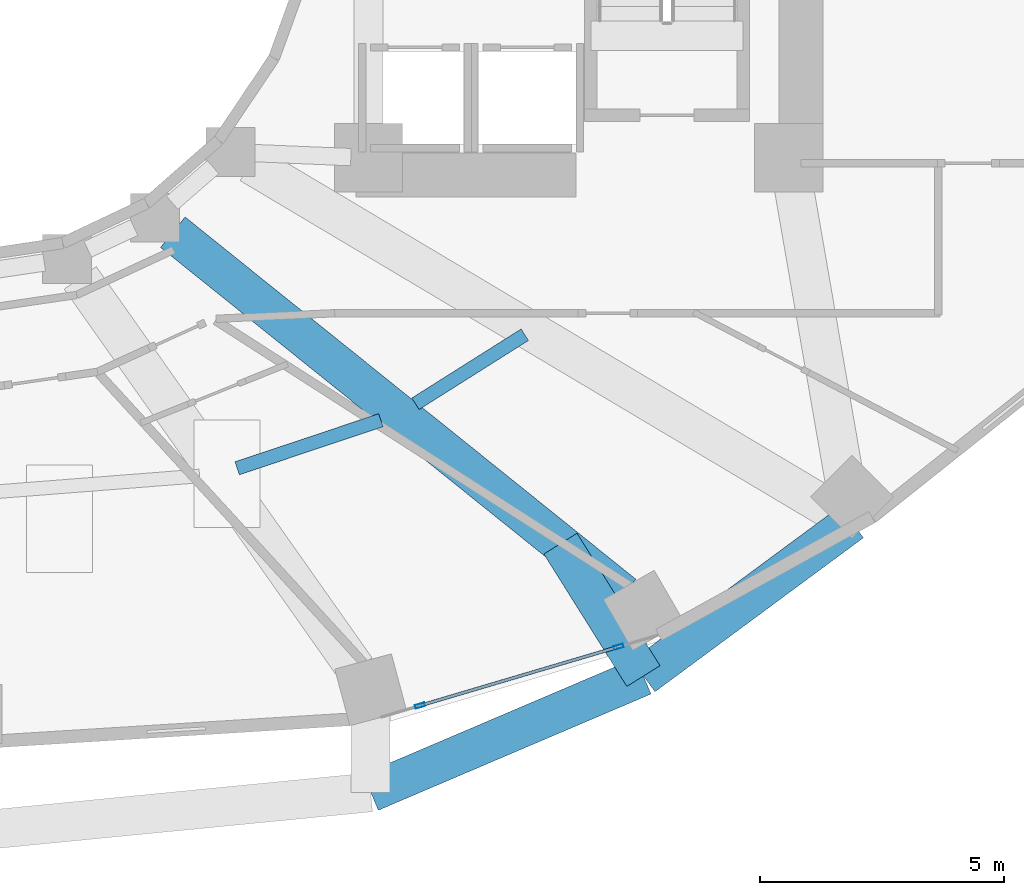
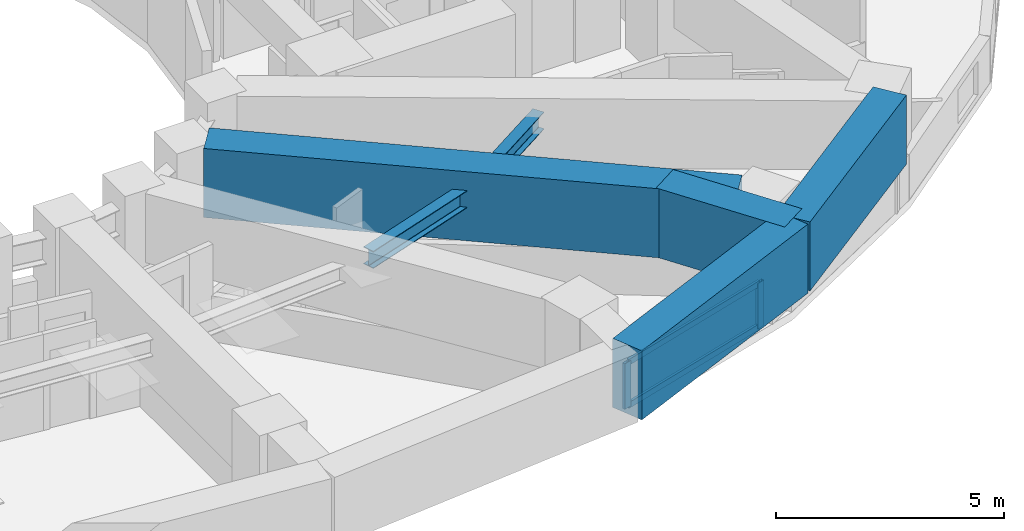
# One storey, part 5 of 17: 6 beams, 4 members, 1 element without a shape of its own.
"""IFC4 building model written with IfcOpenShell, lengths in metres."""

import ifcopenshell
import ifcopenshell.guid

model = None  # the IFC model being written
_history = None  # IfcOwnerHistory: only IFC2X3 demands one
_inside = {}  # id of a spatial element -> (the spatial element, [elements in it])
_under = {}  # id of a project, library or spatial element -> (it, [spatial elements below it])
_declared = {}  # id of a project -> (the project, [libraries it declares])
_typed = {}  # id of a type object -> (the type object, [elements of that type])
_made_of = {}  # id of a material, layer set ... -> (it, [elements and type objects made of it])


def new_model(schema):
    """Start an empty IFC model of exactly this schema.

    Asked for "IFC4X3", IfcOpenShell would pick the latest addendum, in which some entities
    have other attributes; the version numbers below select the first issue.
    IFC2X3 requires an IfcOwnerHistory on every rooted entity: one is made here for all.
    """
    global model, _history
    if schema == "IFC4X3":
        model = ifcopenshell.file(schema_version=(4, 3, 0, 0))
    else:
        model = ifcopenshell.file(schema=schema)
    _inside.clear()
    _under.clear()
    _declared.clear()
    _typed.clear()
    _made_of.clear()
    _history = None
    if model.schema == "IFC2X3":
        org = make("IfcOrganization", Name="unknown")
        user = make(
            "IfcPersonAndOrganization",
            ThePerson=make("IfcPerson", FamilyName="unknown"),
            TheOrganization=org,
        )
        app = make(
            "IfcApplication",
            ApplicationDeveloper=org,
            Version="unknown",
            ApplicationFullName="unknown",
            ApplicationIdentifier="unknown",
        )
        _history = make(
            "IfcOwnerHistory",
            OwningUser=user,
            OwningApplication=app,
            ChangeAction="ADDED",
            CreationDate=0,
        )
    return model


def make(cls, **values):
    """One entity of the class cls with the attributes given. An attribute that is None is left unset."""
    return model.create_entity(
        cls, **{name: value for name, value in values.items() if value is not None}
    )


def rooted(cls, **values):
    """An entity with a GlobalId (a new one), such as an element, a storey or a relation."""
    return make(cls, GlobalId=ifcopenshell.guid.new(), OwnerHistory=_history, **values)


def si_unit(unit_type, name, prefix=None):
    """IfcSIUnit, for example si_unit("LENGTHUNIT", "METRE", prefix="MILLI")."""
    return make("IfcSIUnit", UnitType=unit_type, Prefix=prefix, Name=name)


def assignment(units):
    """IfcUnitAssignment: the units of a project."""
    return None if units is None else make("IfcUnitAssignment", Units=units)


def point(xyz):
    """IfcCartesianPoint."""
    return None if xyz is None else make("IfcCartesianPoint", Coordinates=xyz)


def direction(xyz):
    """IfcDirection."""
    return None if xyz is None else make("IfcDirection", DirectionRatios=xyz)


def frame(location, z_axis=None, x_axis=None):
    """IfcAxis2Placement3D, a coordinate frame: its origin and axes. An axis left out is left unset."""
    return make(
        "IfcAxis2Placement3D",
        Location=point(location),
        Axis=direction(z_axis),
        RefDirection=direction(x_axis),
    )


def frame_2d(location, x_axis=None):
    """IfcAxis2Placement2D, a coordinate frame in the plane: its origin and x axis."""
    return make(
        "IfcAxis2Placement2D", Location=point(location), RefDirection=direction(x_axis)
    )


def origin():
    """The frame at (0, 0, 0) with its axes left unset."""
    return frame((0.0, 0.0, 0.0))


def origin_2d():
    """The frame at (0, 0) in the plane with its x axis left unset."""
    return frame_2d((0.0, 0.0))


def place(relative_to, where):
    """IfcLocalPlacement: puts the frame where relative to a parent placement (None: the world)."""
    return make(
        "IfcLocalPlacement", PlacementRelTo=relative_to, RelativePlacement=where
    )


def context(
    kind, dimensions, precision=None, world=None, true_north=None, identifier=None
):
    """IfcGeometricRepresentationContext, for example the 3D "Model" context."""
    return make(
        "IfcGeometricRepresentationContext",
        ContextIdentifier=identifier,
        ContextType=kind,
        CoordinateSpaceDimension=dimensions,
        Precision=precision,
        WorldCoordinateSystem=world,
        TrueNorth=true_north,
    )


def subcontext(parent, identifier, kind, view, scale=None):
    """IfcGeometricRepresentationSubContext, for example "Body" below "Model"."""
    return make(
        "IfcGeometricRepresentationSubContext",
        ContextIdentifier=identifier,
        ContextType=kind,
        ParentContext=parent,
        TargetScale=scale,
        TargetView=view,
    )


def project(units=None, contexts=None):
    """IfcProject with its units and contexts."""
    return rooted(
        "IfcProject",
        Name="project",
        RepresentationContexts=contexts,
        UnitsInContext=assignment(units),
    )


def spatial(cls, under=None, at=None, **own):
    """A site, building, storey or space (cls), placed at a placement, below another one or the project."""
    s = rooted(cls, ObjectPlacement=at, **own)
    if under is not None:
        _under.setdefault(under.id(), (under, []))[1].append(s)
    return s


def profile(cls, at=None, kind="AREA", **sizes):
    """A parametric profile (cls). Its sizes go by their IFC names, for example OverallWidth=200.0."""
    return make(cls, ProfileType=kind, Position=at, **sizes)


def rectangle(**sizes):
    """IfcRectangleProfileDef."""
    return profile("IfcRectangleProfileDef", **sizes)


def hollow_rectangle(**sizes):
    """IfcRectangleHollowProfileDef."""
    return profile("IfcRectangleHollowProfileDef", **sizes)


def i_section(**sizes):
    """IfcIShapeProfileDef."""
    return profile("IfcIShapeProfileDef", **sizes)


def extrude(swept, where, along, depth):
    """IfcExtrudedAreaSolid: the profile swept, set in the frame where, extruded along a direction by depth."""
    return make(
        "IfcExtrudedAreaSolid",
        SweptArea=swept,
        Position=where,
        ExtrudedDirection=direction(along),
        Depth=depth,
    )


def shape(context_of_items, identifier, shape_type, items):
    """IfcShapeRepresentation: the items that make up one representation, for example the "Body"."""
    return make(
        "IfcShapeRepresentation",
        ContextOfItems=context_of_items,
        RepresentationIdentifier=identifier,
        RepresentationType=shape_type,
        Items=items,
    )


def material(Name=None, Category=None):
    """IfcMaterial."""
    return make("IfcMaterial", Name=Name, Category=Category)


def layer(
    of_material, thickness, ventilated=None, Name=None, Category=None, Priority=None
):
    """IfcMaterialLayer: one layer of a wall or slab, of a material (None: an air gap)."""
    return make(
        "IfcMaterialLayer",
        Material=of_material,
        LayerThickness=thickness,
        IsVentilated=ventilated,
        Name=Name,
        Category=Category,
        Priority=Priority,
    )


def layer_set(layers, Name=None):
    """IfcMaterialLayerSet."""
    return make("IfcMaterialLayerSet", MaterialLayers=layers, LayerSetName=Name)


def material_profile(
    of_material, cross_section, Name=None, Category=None, Priority=None
):
    """IfcMaterialProfile: a cross section and its material."""
    return make(
        "IfcMaterialProfile",
        Name=Name,
        Material=of_material,
        Profile=cross_section,
        Priority=Priority,
        Category=Category,
    )


def profile_set(profiles, Name=None, composite=None):
    """IfcMaterialProfileSet."""
    return make(
        "IfcMaterialProfileSet",
        Name=Name,
        MaterialProfiles=profiles,
        CompositeProfile=composite,
    )


def made_of(thing, what):
    """Note that an element or type object is made of a material, layer set ...; save() writes the relation."""
    if what is not None:
        _made_of.setdefault(what.id(), (what, []))[1].append(thing)
    return thing


def type_object(cls, material=None, **own):
    """A type object (cls), such as IfcWallType, which elements share."""
    return made_of(rooted(cls, **own), material)


def element(
    cls,
    number,
    at=None,
    inside=None,
    cuts=None,
    type_object=None,
    material=None,
    context=None,
    identifier="Body",
    shape_type=None,
    held_by="IfcProductDefinitionShape",
    body=None,
    shapes=None,
    **own,
):
    """One element of the class cls, such as IfcWall. Its Tag is "e" and its number.

    at: its placement. inside: the storey or other place that contains it. cuts: it is an
    opening in that element (IfcRelVoidsElement). A single representation is given by context,
    identifier, shape_type and body (its items); several are given by shapes. held_by: the class
    of the entity that holds the representations. save() writes the other relations.
    """
    e = rooted(cls, Tag="e%d" % number, ObjectPlacement=at, **own)
    if body is not None:
        shapes = [shape(context, identifier, shape_type, body)]
    if shapes is not None:
        e.Representation = make(held_by, Representations=shapes)
    if inside is not None:
        _inside.setdefault(inside.id(), (inside, []))[1].append(e)
    if cuts is not None:
        rooted(
            "IfcRelVoidsElement", RelatingBuildingElement=cuts, RelatedOpeningElement=e
        )
    if type_object is not None:
        _typed.setdefault(type_object.id(), (type_object, []))[1].append(e)
    return made_of(e, material)


def aggregate(whole, parts):
    """IfcRelAggregates: a whole, such as a stair, and the parts it consists of."""
    return rooted("IfcRelAggregates", RelatingObject=whole, RelatedObjects=parts)


def save(model, path):
    """Write the relations noted so far, then the file.

    IfcRelAggregates (storeys below a building ...), IfcRelContainedInSpatialStructure (elements
    in a storey), IfcRelDefinesByType, IfcRelAssociatesMaterial and IfcRelDeclares: one each for
    every whole, place, type object, material and project.
    """
    for whole, parts in _under.values():
        aggregate(whole, parts)
    for where, things in _inside.values():
        rooted(
            "IfcRelContainedInSpatialStructure",
            RelatedElements=things,
            RelatingStructure=where,
        )
    for kind, things in _typed.values():
        rooted("IfcRelDefinesByType", RelatedObjects=things, RelatingType=kind)
    for what, things in _made_of.values():
        rooted("IfcRelAssociatesMaterial", RelatedObjects=things, RelatingMaterial=what)
    for by, libraries in _declared.values():
        rooted("IfcRelDeclares", RelatingContext=by, RelatedDefinitions=libraries)
    model.write(path)


model = new_model("IFC4")

# Units and contexts
model_context = context("Model", 3, precision=1e-05, world=origin(), true_north=direction((0.0, 1.0)))
body_context = subcontext(model_context, "Body", "Model", "MODEL_VIEW")
ifc_project = project(units=[si_unit("LENGTHUNIT", "METRE"), si_unit("AREAUNIT", "SQUARE_METRE"), si_unit("VOLUMEUNIT", "CUBIC_METRE"), si_unit("PLANEANGLEUNIT", "RADIAN"), si_unit("MASSUNIT", "GRAM", prefix="KILO")], contexts=[model_context])

# Site, building, storey
site_placement = place(None, origin())
site = spatial("IfcSite", under=ifc_project, at=site_placement, CompositionType="ELEMENT")
building_placement = place(site_placement, origin())
building = spatial("IfcBuilding", under=site, at=building_placement, Name="Solvane Sanctuary Tower", CompositionType="ELEMENT")
storey_placement = place(building_placement, frame((0.0, 0.0, 52.39990234375)))
storey = spatial("IfcBuildingStorey", under=building, at=storey_placement, Name="L15", CompositionType="ELEMENT", Elevation=52.39990234375)

# Beams
ifc_material_1 = material(Name="Steel ASTM A992 Grade 50", Category="steel")
ifc_material_profile_1 = material_profile(ifc_material_1, i_section(OverallWidth=0.280029296875, OverallDepth=0.462890625, WebThickness=0.0107421875, FlangeThickness=0.017333984375, FilletRadius=0.013916015625, at=origin_2d()), Name="W18X76")
ifc_profile_set_1 = profile_set([ifc_material_profile_1], Name="Steel ASTM A992 Grade 50")
beam_type_1 = type_object("IfcBeamType", Name="Beam B-SEC-JOIST W18X76", PredefinedType="JOIST", material=ifc_profile_set_1)
beam_1_placement = place(storey_placement, frame((37.412353515625, 10.546875, 2.36669921875), z_axis=(0.948289049928, 0.317408061944, 0.0), x_axis=(-0.317408061944, 0.948289049928, 0.0)))
element("IfcBeam", 1, at=beam_1_placement, inside=storey, type_object=beam_type_1, Name="L15 Secondary Circumferential Joist 12-13", PredefinedType="JOIST", context=body_context, shape_type="SweptSolid", body=[
    extrude(i_section(OverallWidth=0.280029296875, OverallDepth=0.462890625, WebThickness=0.0107421875, FlangeThickness=0.017333984375, FilletRadius=0.013916015625, at=origin_2d()), origin(), (0.0, 0.0, 1.0), 3.10205078125),
])
beam_2_placement = place(storey_placement, frame((41.0625, 11.867919921875, 2.36669921875), z_axis=(0.845510831314, 0.533958270027, 0.0), x_axis=(-0.533958270027, 0.845510831314, 0.0)))
element("IfcBeam", 2, at=beam_2_placement, inside=storey, type_object=beam_type_1, Name="L15 Secondary Circumferential Joist 13-14", PredefinedType="JOIST", context=body_context, shape_type="SweptSolid", body=[
    extrude(i_section(OverallWidth=0.280029296875, OverallDepth=0.462890625, WebThickness=0.0107421875, FlangeThickness=0.017333984375, FilletRadius=0.013916015625, at=origin_2d()), origin(), (0.0, 0.0, 1.0), 2.6455078125),
])
ifc_material_2 = material(Name="Concrete C70/85", Category="concrete")
ifc_material_profile_2 = material_profile(ifc_material_2, rectangle(XDim=0.800048828125, YDim=1.85009765625, at=origin_2d()), Name="RC800X1850")
ifc_profile_set_2 = profile_set([ifc_material_profile_2], Name="Concrete C70/85")
beam_type_2 = type_object("IfcBeamType", Name="Beam B-XFER-BLK RC800X1850", PredefinedType="BEAM", material=ifc_profile_set_2)
beam_3_placement = place(storey_placement, frame((36.096435546875, 15.37890625, 2.175048828125), z_axis=(0.779534656312, -0.626359097969, 0.0), x_axis=(0.626359097969, 0.779534656312, 0.0)))
element("IfcBeam", 3, at=beam_3_placement, inside=storey, type_object=beam_type_2, Name="L15 Block-Shift Radial Transfer Girder 13A", PredefinedType="BEAM", context=body_context, shape_type="SweptSolid", body=[
    extrude(rectangle(XDim=0.800048828125, YDim=1.85009765625, at=origin_2d()), origin(), (0.0, 0.0, 1.0), 11.83447265625),
])
beam_4_placement = place(storey_placement, frame((44.029052734375, 9.005126953125, 2.175048828125), z_axis=(0.53111719099, -0.847298370962, 0.0), x_axis=(0.847298370962, 0.53111719099, 0.0)))
element("IfcBeam", 4, at=beam_4_placement, inside=storey, type_object=beam_type_2, Name="L15 Block-Shift Transfer Tie 13B", PredefinedType="BEAM", context=body_context, shape_type="SweptSolid", body=[
    extrude(rectangle(XDim=0.800048828125, YDim=1.85009765625, at=origin_2d()), origin(), (0.0, 0.0, 1.0), 3.197509765625),
])
beam_5_placement = place(storey_placement, frame((40.14501953125, 3.916259765625, 2.175048828125), z_axis=(0.919904945582, 0.392141417213, 0.0), x_axis=(-0.392141417213, 0.919904945582, 0.0)))
element("IfcBeam", 5, at=beam_5_placement, inside=storey, type_object=beam_type_2, Name="L15 Perimeter Step Transfer Ring NTC12-NTC13", PredefinedType="BEAM", context=body_context, shape_type="SweptSolid", body=[
    extrude(rectangle(XDim=0.800048828125, YDim=1.85009765625, at=origin_2d()), origin(), (0.0, 0.0, 1.0), 6.068359375),
])
beam_6_placement = place(storey_placement, frame((45.727294921875, 6.2958984375, 2.175048828125), z_axis=(0.804316795513, 0.594200717313, 0.0), x_axis=(-0.594200717313, 0.804316795513, 0.0)))
element("IfcBeam", 6, at=beam_6_placement, inside=storey, type_object=beam_type_2, Name="L15 Perimeter Step Transfer Ring NTC13-NTC14", PredefinedType="BEAM", context=body_context, shape_type="SweptSolid", body=[
    extrude(rectangle(XDim=0.800048828125, YDim=1.85009765625, at=origin_2d()), origin(), (0.0, 0.0, 1.0), 5.302001953125),
])

# Curtain wall, members
ifc_material_3 = material(Name="Anodised Aluminium 6063-T6", Category="aluminium")
ifc_layer = layer(ifc_material_3, 0.169921875, Name="Anodised Aluminium 6063-T6")
ifc_layer_set = layer_set([ifc_layer], Name="Anodised Aluminium 6063-T6")
curtain_wall_type = type_object("IfcCurtainWallType", Name="Curtain Wall CW-FRIT-Z1", PredefinedType="NOTDEFINED", material=ifc_layer_set)
curtain_wall_placement = place(storey_placement, origin())
curtain_wall = element("IfcCurtainWall", 7, at=curtain_wall_placement, inside=storey, type_object=curtain_wall_type, Name="L15 CW-FRIT-Z1 Facade Run 19", PredefinedType="NOTDEFINED")
ifc_material_profile_3 = material_profile(ifc_material_3, hollow_rectangle(XDim=0.074951171875, YDim=0.199951171875, WallThickness=0.00390625, at=origin_2d()), Name="ALU200X75X4")
ifc_profile_set_3 = profile_set([ifc_material_profile_3], Name="Anodised Aluminium 6063-T6")
member_type_1 = type_object("IfcMemberType", Name="Member M-CW-MUL-1 ALU200X75X4", PredefinedType="MULLION", material=ifc_profile_set_3)
member_1_placement = place(storey_placement, frame((41.154052734375, 5.6904296875, 0.0), z_axis=(0.0, 0.0, 1.0), x_axis=(-0.283936052018, 0.958843218866, 0.0)))
member_1 = element("IfcMember", 8, at=member_1_placement, type_object=member_type_1, Name="CW-FRIT-Z1 mullion 1", PredefinedType="MULLION", context=body_context, shape_type="SweptSolid", body=[
    extrude(hollow_rectangle(XDim=0.074951171875, YDim=0.199951171875, WallThickness=0.00390625, at=origin_2d()), origin(), (0.0, 0.0, 1.0), 1.22021484375),
])
member_2_placement = place(storey_placement, frame((45.2197265625, 6.89453125, 0.0), z_axis=(0.0, 0.0, 1.0), x_axis=(-0.283936052018, 0.958843218866, 0.0)))
member_2 = element("IfcMember", 9, at=member_2_placement, type_object=member_type_1, Name="CW-FRIT-Z1 mullion 2", PredefinedType="MULLION", context=body_context, shape_type="SweptSolid", body=[
    extrude(hollow_rectangle(XDim=0.074951171875, YDim=0.199951171875, WallThickness=0.00390625, at=origin_2d()), origin(), (0.0, 0.0, 1.0), 1.22021484375),
])
ifc_material_profile_4 = material_profile(ifc_material_3, hollow_rectangle(XDim=0.06494140625, YDim=0.159912109375, WallThickness=0.00341796875, at=origin_2d()), Name="ALU160X65X3.5")
ifc_profile_set_4 = profile_set([ifc_material_profile_4], Name="Anodised Aluminium 6063-T6")
member_type_2 = type_object("IfcMemberType", Name="Member M-CW-TRN-1 ALU160X65X3.5", PredefinedType="USERDEFINED", material=ifc_profile_set_4)
member_3_placement = place(storey_placement, frame((41.18994140625, 5.701171875, 0.03271484375), z_axis=(0.958847767463, 0.283920691093, 0.0), x_axis=(-0.283920691093, 0.958847767463, 0.0)))
member_3 = element("IfcMember", 10, at=member_3_placement, type_object=member_type_2, Name="CW-FRIT-Z1 transom 1.1", ObjectType="TRANSOM", PredefinedType="USERDEFINED", context=body_context, shape_type="SweptSolid", body=[
    extrude(hollow_rectangle(XDim=0.06494140625, YDim=0.159912109375, WallThickness=0.00341796875, at=origin_2d()), origin(), (0.0, 0.0, 1.0), 4.165283203125),
])
member_4_placement = place(storey_placement, frame((41.18994140625, 5.701171875, 1.1875), z_axis=(0.958847767463, 0.283920691093, 0.0), x_axis=(-0.283920691093, 0.958847767463, 0.0)))
member_4 = element("IfcMember", 11, at=member_4_placement, type_object=member_type_2, Name="CW-FRIT-Z1 transom 1.2", ObjectType="TRANSOM", PredefinedType="USERDEFINED", context=body_context, shape_type="SweptSolid", body=[
    extrude(hollow_rectangle(XDim=0.06494140625, YDim=0.159912109375, WallThickness=0.00341796875, at=origin_2d()), origin(), (0.0, 0.0, 1.0), 4.165283203125),
])
aggregate(curtain_wall, [member_1, member_2, member_3, member_4])

save(model, "model.ifc")
